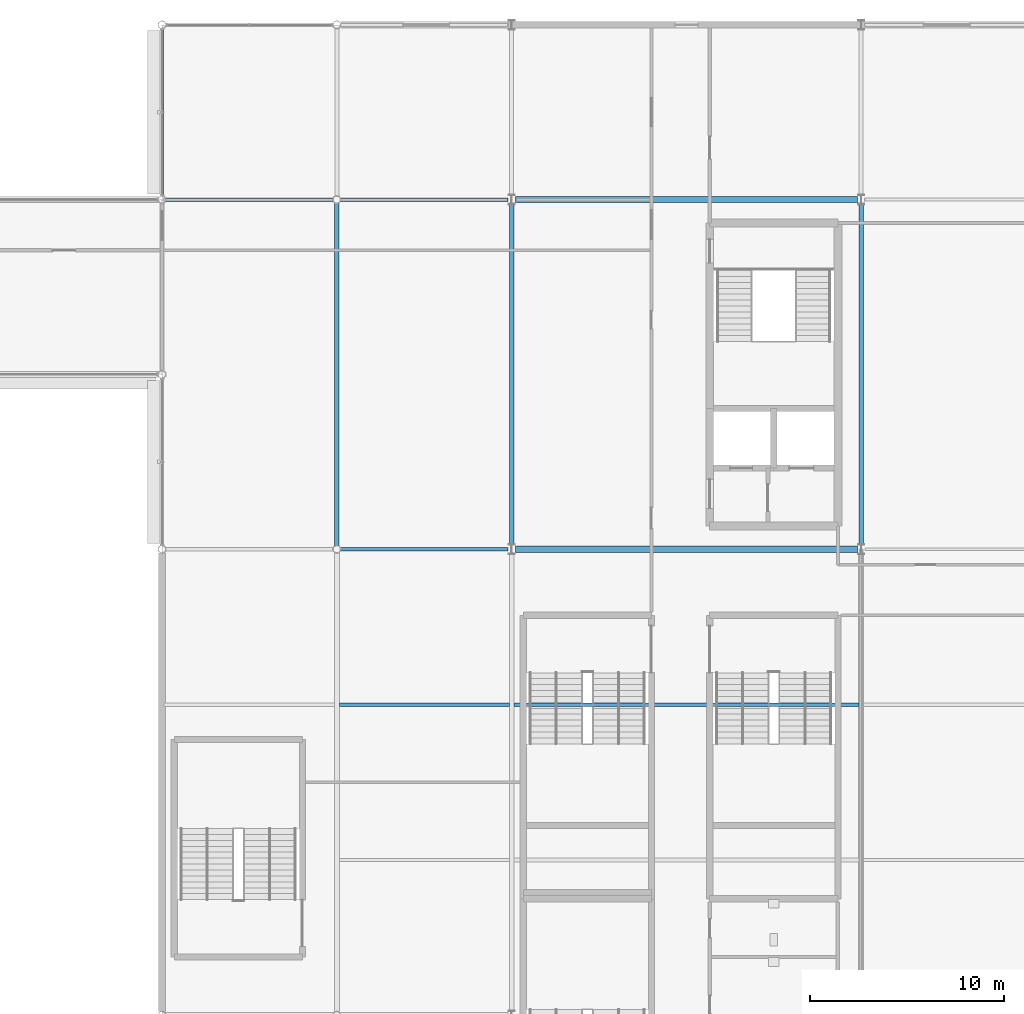
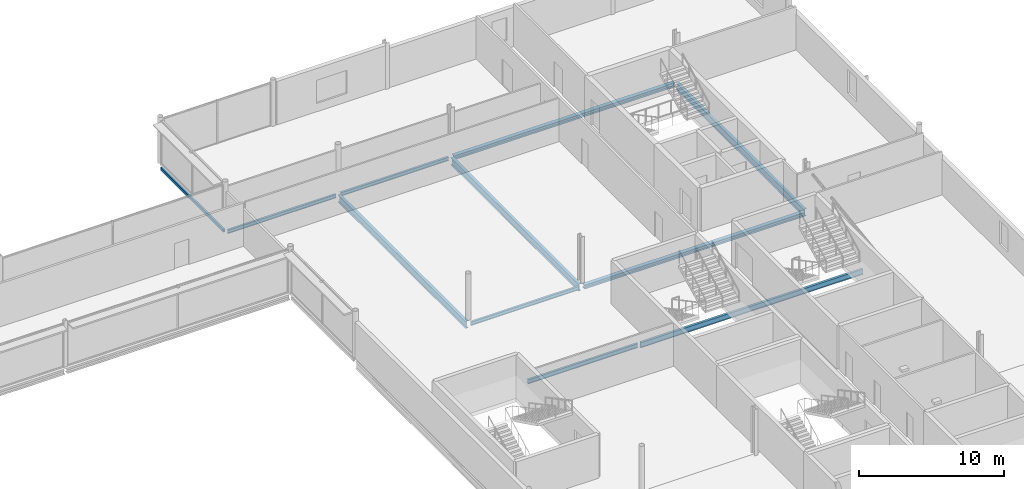
# One storey, part 48 of 96: 11 beams.
"""IFC4 building model written with IfcOpenShell, lengths in metres."""

from ifc_helpers import new_model, si_unit, direction, frame, origin, origin_2d, place, context, subcontext, project, spatial, hollow_rectangle, i_section, extrude, material, material_profile, profile_set, type_object, element, save


model = new_model("IFC4")

# Units and contexts
model_context = context("Model", 3, precision=1e-05, world=origin(), true_north=direction((0.0, 1.0)))
body_context = subcontext(model_context, "Body", "Model", "MODEL_VIEW")
ifc_project = project(units=[si_unit("LENGTHUNIT", "METRE"), si_unit("AREAUNIT", "SQUARE_METRE"), si_unit("VOLUMEUNIT", "CUBIC_METRE"), si_unit("PLANEANGLEUNIT", "RADIAN"), si_unit("MASSUNIT", "GRAM", prefix="KILO")], contexts=[model_context])

# Site, building, storey
site_placement = place(None, origin())
site = spatial("IfcSite", under=ifc_project, at=site_placement, CompositionType="ELEMENT")
building_placement = place(site_placement, origin())
building = spatial("IfcBuilding", under=site, at=building_placement, Name="Kisiwana Market Hall", CompositionType="ELEMENT")
storey_placement = place(building_placement, frame((0.0, 0.0, 25.5)))
storey = spatial("IfcBuildingStorey", under=building, at=storey_placement, Name="L05", CompositionType="ELEMENT", Elevation=25.5)

# Beams
ifc_material_1 = material(Name="Steel S355", Category="steel")
ifc_material_profile_1 = material_profile(ifc_material_1, i_section(OverallWidth=0.22900390625, OverallDepth=0.6123046875, WebThickness=0.011962890625, FlangeThickness=0.01953125, at=origin_2d()), Name="UB 610x229x125")
ifc_profile_set_1 = profile_set([ifc_material_profile_1], Name="Steel S355")
beam_type_1 = type_object("IfcBeamType", Name="BM-GIRD-UB610H", PredefinedType="BEAM", material=ifc_profile_set_1)
beam_1_placement = place(storey_placement, frame((162.0, 84.18017578125, -0.62109375), z_axis=(0.0, 1.0, 0.0), x_axis=(-1.0, 0.0, 0.0)))
element("IfcBeam", 1, at=beam_1_placement, inside=storey, type_object=beam_type_1, Name="Primary girder B-1555", PredefinedType="BEAM", context=body_context, shape_type="SweptSolid", body=[
    extrude(i_section(OverallWidth=0.22900390625, OverallDepth=0.6123046875, WebThickness=0.011962890625, FlangeThickness=0.01953125, at=origin_2d()), origin(), (0.0, 0.0, 1.0), 17.6396484375),
])
for number, where, z_axis, x_axis, name in (
    (2, (171.0, 84.1865234375, -0.62109375), (0.0, 1.0, 0.0), (-1.0, 0.0, 0.0), "Primary girder B-1559"),
    (3, (189.0, 84.1865234375, -0.62109375), (0.0, 1.0, 0.0), (-1.0, 0.0, 0.0), "Primary girder B-1565"),
):
    element("IfcBeam", number, at=place(storey_placement, frame(where, z_axis=z_axis, x_axis=x_axis)), inside=storey, type_object=beam_type_1, Name=name, PredefinedType="BEAM", context=body_context, shape_type="SweptSolid", body=[
        extrude(i_section(OverallWidth=0.22900390625, OverallDepth=0.6123046875, WebThickness=0.011962890625, FlangeThickness=0.01953125, at=origin_2d()), origin(), (0.0, 0.0, 1.0), 17.626953125),
    ])
ifc_material_2 = material(Name="Steel S355", Category="steel")
ifc_material_profile_2 = material_profile(ifc_material_2, i_section(OverallWidth=0.1650390625, OverallDepth=0.303466796875, WebThickness=0.006103515625, FlangeThickness=0.01025390625, at=origin_2d()), Name="UB 305x165x40")
ifc_profile_set_2 = profile_set([ifc_material_profile_2], Name="Steel S355")
beam_type_2 = type_object("IfcBeamType", Name="BM-JOIST-UB040", PredefinedType="JOIST", material=ifc_profile_set_2)
beam_2_placement = place(storey_placement, frame((162.182373046875, 102.0, -0.466796875), z_axis=(1.0, 0.0, 0.0), x_axis=(0.0, 1.0, 0.0)))
element("IfcBeam", 4, at=beam_2_placement, inside=storey, type_object=beam_type_2, Name="Floor beam B-1658", PredefinedType="JOIST", context=body_context, shape_type="SweptSolid", body=[
    extrude(i_section(OverallWidth=0.1650390625, OverallDepth=0.303466796875, WebThickness=0.006103515625, FlangeThickness=0.01025390625, at=origin_2d()), origin(), (0.0, 0.0, 1.0), 8.624267578125),
])
ifc_material_3 = material(Name="Steel S355", Category="steel")
ifc_material_profile_3 = material_profile(ifc_material_3, i_section(OverallWidth=0.1650390625, OverallDepth=0.303466796875, WebThickness=0.006103515625, FlangeThickness=0.01025390625, at=origin_2d()), Name="UB 305x165x40")
ifc_profile_set_3 = profile_set([ifc_material_profile_3], Name="Steel S355")
beam_type_3 = type_object("IfcBeamType", Name="BM-JOIST-UB305", PredefinedType="JOIST", material=ifc_profile_set_3)
beam_3_placement = place(storey_placement, frame((153.182373046875, 102.0, -0.466796875), z_axis=(1.0, 0.0, 0.0), x_axis=(0.0, 1.0, 0.0)))
element("IfcBeam", 5, at=beam_3_placement, inside=storey, type_object=beam_type_3, Name="Floor beam B-1657", PredefinedType="JOIST", context=body_context, shape_type="SweptSolid", body=[
    extrude(i_section(OverallWidth=0.1650390625, OverallDepth=0.303466796875, WebThickness=0.006103515625, FlangeThickness=0.01025390625, at=origin_2d()), origin(), (0.0, 0.0, 1.0), 8.63525390625),
])
ifc_material_4 = material(Name="Steel S355", Category="steel")
ifc_material_profile_4 = material_profile(ifc_material_4, i_section(OverallWidth=0.165771484375, OverallDepth=0.306640625, WebThickness=0.006591796875, FlangeThickness=0.01171875, at=origin_2d()), Name="UB 305x165x46")
ifc_profile_set_4 = profile_set([ifc_material_profile_4], Name="Steel S355")
beam_type_4 = type_object("IfcBeamType", Name="BM-JOIST-UB305H", PredefinedType="JOIST", material=ifc_profile_set_4)
beam_4_placement = place(storey_placement, frame((162.182373046875, 84.0, -0.46826171875), z_axis=(1.0, 0.0, 0.0), x_axis=(0.0, 1.0, 0.0)))
element("IfcBeam", 6, at=beam_4_placement, inside=storey, type_object=beam_type_4, Name="Floor beam B-1638", PredefinedType="JOIST", context=body_context, shape_type="SweptSolid", body=[
    extrude(i_section(OverallWidth=0.165771484375, OverallDepth=0.306640625, WebThickness=0.006591796875, FlangeThickness=0.01171875, at=origin_2d()), origin(), (0.0, 0.0, 1.0), 8.624267578125),
])
ifc_material_5 = material(Name="Steel S355", Category="steel")
ifc_material_profile_5 = material_profile(ifc_material_5, i_section(OverallWidth=0.17138671875, OverallDepth=0.35498046875, WebThickness=0.00732421875, FlangeThickness=0.011474609375, at=origin_2d()), Name="UB 356x171x51")
ifc_profile_set_5 = profile_set([ifc_material_profile_5], Name="Steel S355")
beam_type_5 = type_object("IfcBeamType", Name="BM-JOIST-UB356", PredefinedType="JOIST", material=ifc_profile_set_5)
beam_5_placement = place(storey_placement, frame((162.125732421875, 76.0, -0.492431640625), z_axis=(1.0, 0.0, 0.0), x_axis=(0.0, 1.0, 0.0)))
element("IfcBeam", 7, at=beam_5_placement, inside=storey, type_object=beam_type_5, Name="Secondary floor joist B-1592", PredefinedType="JOIST", context=body_context, shape_type="SweptSolid", body=[
    extrude(i_section(OverallWidth=0.17138671875, OverallDepth=0.35498046875, WebThickness=0.00732421875, FlangeThickness=0.011474609375, at=origin_2d()), origin(), (0.0, 0.0, 1.0), 8.7607421875),
])
ifc_material_6 = material(Name="Steel S355", Category="steel")
ifc_material_profile_6 = material_profile(ifc_material_6, i_section(OverallWidth=0.18994140625, OverallDepth=0.453369140625, WebThickness=0.008544921875, FlangeThickness=0.0126953125, at=origin_2d()), Name="UB 457x191x67")
ifc_profile_set_6 = profile_set([ifc_material_profile_6], Name="Steel S355")
beam_type_6 = type_object("IfcBeamType", Name="BM-JOIST-UB457", PredefinedType="JOIST", material=ifc_profile_set_6)
beam_6_placement = place(storey_placement, frame((171.113525390625, 76.0, -0.541748046875), z_axis=(1.0, 0.0, 0.0), x_axis=(0.0, 1.0, 0.0)))
element("IfcBeam", 8, at=beam_6_placement, inside=storey, type_object=beam_type_6, Name="Secondary floor joist B-1593", PredefinedType="JOIST", context=body_context, shape_type="SweptSolid", body=[
    extrude(i_section(OverallWidth=0.18994140625, OverallDepth=0.453369140625, WebThickness=0.008544921875, FlangeThickness=0.0126953125, at=origin_2d()), origin(), (0.0, 0.0, 1.0), 17.7607421875),
])
ifc_material_7 = material(Name="Steel S355", Category="steel")
ifc_material_profile_7 = material_profile(ifc_material_7, i_section(OverallWidth=0.314453125, OverallDepth=0.33984375, WebThickness=0.01904296875, FlangeThickness=0.031494140625, at=origin_2d()), Name="UC 305x305x198")
ifc_profile_set_7 = profile_set([ifc_material_profile_7], Name="Steel S355")
beam_type_7 = type_object("IfcBeamType", Name="BM-SKYBR-CHORD", PredefinedType="BEAM", material=ifc_profile_set_7)
for number, where, z_axis, x_axis, name in (
    (9, (171.193359375, 84.0, -0.48486328125), (1.0, 0.0, 0.0), (0.0, 1.0, 0.0), "Floor beam B-1639"),
    (10, (171.193359375, 102.0, -0.48486328125), (1.0, 0.0, 0.0), (0.0, 1.0, 0.0), "Floor beam B-1659"),
):
    element("IfcBeam", number, at=place(storey_placement, frame(where, z_axis=z_axis, x_axis=x_axis)), inside=storey, type_object=beam_type_7, Name=name, PredefinedType="BEAM", context=body_context, shape_type="SweptSolid", body=[
        extrude(i_section(OverallWidth=0.314453125, OverallDepth=0.33984375, WebThickness=0.01904296875, FlangeThickness=0.031494140625, at=origin_2d()), origin(), (0.0, 0.0, 1.0), 17.61328125),
    ])
ifc_material_8 = material(Name="Steel S355", Category="steel")
ifc_material_profile_8 = material_profile(ifc_material_8, hollow_rectangle(XDim=0.14990234375, YDim=0.25, WallThickness=0.010009765625, at=origin_2d()), Name="RHS 250x150x10.0")
ifc_profile_set_8 = profile_set([ifc_material_profile_8], Name="Steel S355")
beam_type_8 = type_object("IfcBeamType", Name="BM-SPAN-RHS250", PredefinedType="SPANDREL", material=ifc_profile_set_8)
beam_7_placement = place(storey_placement, frame((153.0, 102.18017578125, -0.43994140625), z_axis=(0.0, 1.0, 0.0), x_axis=(-1.0, 0.0, 0.0)))
element("IfcBeam", 11, at=beam_7_placement, inside=storey, type_object=beam_type_8, Name="Floor beam B-1688", PredefinedType="SPANDREL", context=body_context, shape_type="SweptSolid", body=[
    extrude(hollow_rectangle(XDim=0.14990234375, YDim=0.25, WallThickness=0.010009765625, at=origin_2d()), origin(), (0.0, 0.0, 1.0), 8.6396484375),
])

save(model, "model.ifc")
